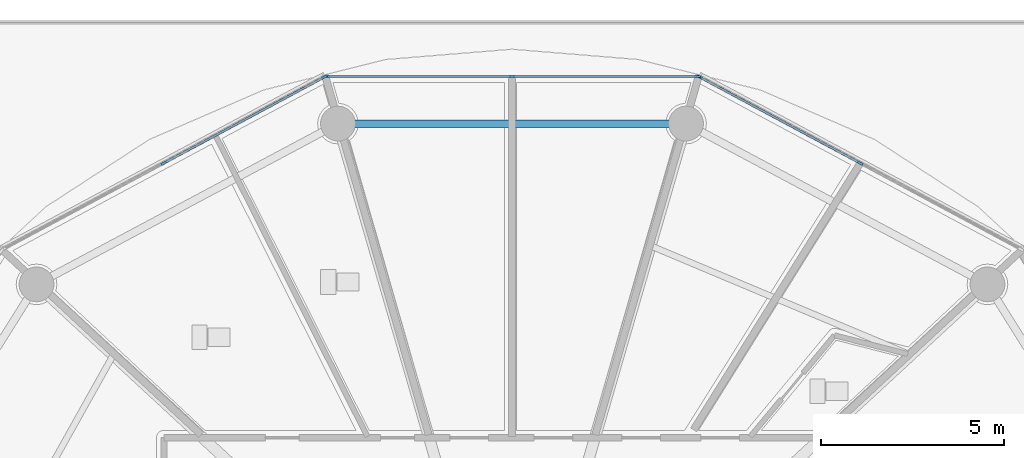
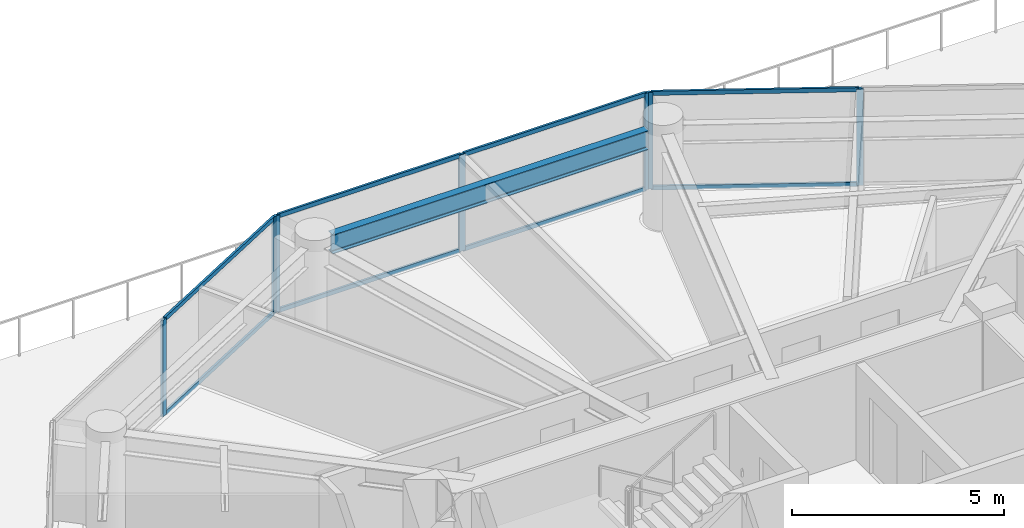
# One storey, part 9 of 32: 15 members, 1 beam, 3 elements without a shape of their own.
"""IFC4 building model written with IfcOpenShell, lengths in metres."""

from ifc_helpers import new_model, si_unit, direction, frame, origin, origin_2d, place, context, subcontext, project, spatial, rectangle, i_section, extrude, source, transform, mapped, material, layer, layer_set, material_profile, profile_set, type_object, type_shapes, element, aggregate, save


model = new_model("IFC4")

# Units and contexts
model_context = context("Model", 3, precision=1e-05, world=origin(), true_north=direction((0.0, 1.0)))
body_context = subcontext(model_context, "Body", "Model", "MODEL_VIEW")
ifc_project = project(units=[si_unit("LENGTHUNIT", "METRE"), si_unit("AREAUNIT", "SQUARE_METRE"), si_unit("VOLUMEUNIT", "CUBIC_METRE"), si_unit("PLANEANGLEUNIT", "RADIAN"), si_unit("MASSUNIT", "GRAM", prefix="KILO")], contexts=[model_context])

# Site, building, storey
site_placement = place(None, origin())
site = spatial("IfcSite", under=ifc_project, at=site_placement, CompositionType="ELEMENT")
building_placement = place(site_placement, origin())
building = spatial("IfcBuilding", under=site, at=building_placement, Name="Norrkilde Senior Care Towers", CompositionType="ELEMENT")
storey_placement = place(building_placement, frame((0.0, 0.0, 21.60009765625)))
storey = spatial("IfcBuildingStorey", under=building, at=storey_placement, Name="L05", CompositionType="ELEMENT", Elevation=21.60009765625)

# Beam
ifc_material_1 = material(Name="Steel S355", Category="steel")
ifc_material_profile_1 = material_profile(ifc_material_1, i_section(OverallWidth=0.2099609375, OverallDepth=0.550048828125, WebThickness=0.010986328125, FlangeThickness=0.01708984375, FilletRadius=0.02392578125, at=origin_2d()), Name="IPE 550")
ifc_profile_set_1 = profile_set([ifc_material_profile_1], Name="Steel S355")
beam_type = type_object("IfcBeamType", Name="Perimeter Ring Spandrel Z1 IPE550", PredefinedType="SPANDREL", material=ifc_profile_set_1)
shared_shape_1 = source(origin(), body_context, "Body", "SweptSolid", [
    extrude(i_section(OverallWidth=0.2099609375, OverallDepth=0.550048828125, WebThickness=0.010986328125, FlangeThickness=0.01708984375, FilletRadius=0.02392578125, at=origin_2d()), origin(), (0.0, 0.0, 1.0), 8.62841796875),
])
type_shapes(beam_type, [shared_shape_1])
beam_placement = place(storey_placement, frame((-23.685791015625, 16.37255859375, 2.514892578125), z_axis=(-1.0, 0.0, 0.0), x_axis=(0.0, -1.0, 0.0)))
element("IfcBeam", 1, at=beam_placement, inside=storey, type_object=beam_type, Name="L05 Drum W Perimeter Spandrel 03", PredefinedType="SPANDREL", context=body_context, shape_type="MappedRepresentation", body=[
    mapped(shared_shape_1, transform((0.0, 0.0, 0.0), x_axis=(1.0, 0.0, 0.0), y_axis=(0.0, 1.0, 0.0), z_axis=(0.0, 0.0, 1.0), scale=1.0)),
])

# Curtain wall, members
ifc_material_2 = material(Name="Triple Low-E Insulated Glazing", Category="glass")
ifc_layer = layer(ifc_material_2, 0.199951171875)
ifc_layer_set = layer_set([ifc_layer], Name="Triple Low-E Insulated Glazing")
curtain_wall_type = type_object("IfcCurtainWallType", Name="CW2 Zone 1 Memory Care Curtain Wall", PredefinedType="NOTDEFINED", material=ifc_layer_set)
curtain_wall_1_placement = place(storey_placement, origin())
curtain_wall_1 = element("IfcCurtainWall", 2, at=curtain_wall_1_placement, inside=storey, type_object=curtain_wall_type, Name="L05 Drum W Curtain Wall 01", PredefinedType="NOTDEFINED")
ifc_material_3 = material(Name="Anodised Aluminium", Category="aluminium")
ifc_material_profile_2 = material_profile(ifc_material_3, rectangle(XDim=0.06494140625, YDim=0.159912109375, at=origin_2d()), Name="ALU MULL 65x160")
ifc_profile_set_2 = profile_set([ifc_material_profile_2], Name="Anodised Aluminium")
member_type_1 = type_object("IfcMemberType", Name="Curtain Wall Mullion Z1-Z2 65x160", PredefinedType="MULLION", material=ifc_profile_set_2)
shared_shape_2 = source(origin(), body_context, "Body", "SweptSolid", [
    extrude(rectangle(XDim=0.06494140625, YDim=0.159912109375, at=origin_2d()), origin(), (0.0, 0.0, 1.0), 2.789794921875),
])
type_shapes(member_type_1, [shared_shape_2])
member_1_placement = place(storey_placement, frame((-22.877685546875, 17.641845703125, 0.0), z_axis=(0.0, 0.0, 1.0), x_axis=(0.472607802456, 0.881272866403, 0.0)))
member_1 = element("IfcMember", 3, at=member_1_placement, type_object=member_type_1, Name="CW-2 mullion 1", PredefinedType="MULLION", context=body_context, shape_type="MappedRepresentation", body=[
    mapped(shared_shape_2, transform((0.0, 0.0, 0.0), x_axis=(1.0, 0.0, 0.0), y_axis=(0.0, 1.0, 0.0), z_axis=(0.0, 0.0, 1.0), scale=1.0)),
])
member_2_placement = place(storey_placement, frame((-18.495361328125, 15.29150390625, 0.0), z_axis=(0.0, 0.0, 1.0), x_axis=(0.472607802456, 0.881272866403, 0.0)))
member_2 = element("IfcMember", 4, at=member_2_placement, type_object=member_type_1, Name="CW-2 mullion 2", PredefinedType="MULLION", context=body_context, shape_type="MappedRepresentation", body=[
    mapped(shared_shape_2, transform((0.0, 0.0, 0.0), x_axis=(1.0, 0.0, 0.0), y_axis=(0.0, 1.0, 0.0), z_axis=(0.0, 0.0, 1.0), scale=1.0)),
])

curtain_wall_2_placement = place(storey_placement, origin())
curtain_wall_2 = element("IfcCurtainWall", 5, at=curtain_wall_2_placement, inside=storey, type_object=curtain_wall_type, Name="L05 Drum W Curtain Wall 02", PredefinedType="NOTDEFINED")
member_3_placement = place(storey_placement, frame((-33.06103515625, 17.6572265625, 0.0), z_axis=(0.0, 0.0, 1.0), x_axis=(0.0, 1.0, 0.0)))
member_3 = element("IfcMember", 6, at=member_3_placement, type_object=member_type_1, Name="CW-2 mullion 1", PredefinedType="MULLION", context=body_context, shape_type="MappedRepresentation", body=[
    mapped(shared_shape_2, transform((0.0, 0.0, 0.0), x_axis=(1.0, 0.0, 0.0), y_axis=(0.0, 1.0, 0.0), z_axis=(0.0, 0.0, 1.0), scale=1.0)),
])
member_4_placement = place(storey_placement, frame((-28.0, 17.6572265625, 0.0), z_axis=(0.0, 0.0, 1.0), x_axis=(0.0, 1.0, 0.0)))
member_4 = element("IfcMember", 7, at=member_4_placement, type_object=member_type_1, Name="CW-2 mullion 2", PredefinedType="MULLION", context=body_context, shape_type="MappedRepresentation", body=[
    mapped(shared_shape_2, transform((0.0, 0.0, 0.0), x_axis=(1.0, 0.0, 0.0), y_axis=(0.0, 1.0, 0.0), z_axis=(0.0, 0.0, 1.0), scale=1.0)),
])
member_5_placement = place(storey_placement, frame((-22.93896484375, 17.6572265625, 0.0), z_axis=(0.0, 0.0, 1.0), x_axis=(0.0, 1.0, 0.0)))
member_5 = element("IfcMember", 8, at=member_5_placement, type_object=member_type_1, Name="CW-2 mullion 3", PredefinedType="MULLION", context=body_context, shape_type="MappedRepresentation", body=[
    mapped(shared_shape_2, transform((0.0, 0.0, 0.0), x_axis=(1.0, 0.0, 0.0), y_axis=(0.0, 1.0, 0.0), z_axis=(0.0, 0.0, 1.0), scale=1.0)),
])

curtain_wall_3_placement = place(storey_placement, origin())
curtain_wall_3 = element("IfcCurtainWall", 9, at=curtain_wall_3_placement, inside=storey, type_object=curtain_wall_type, Name="L05 Drum W Curtain Wall 03", PredefinedType="NOTDEFINED")
member_6_placement = place(storey_placement, frame((-37.504638671875, 15.29150390625, 0.0), z_axis=(0.0, 0.0, 1.0), x_axis=(-0.472607802456, 0.881272866403, 0.0)))
member_6 = element("IfcMember", 10, at=member_6_placement, type_object=member_type_1, Name="CW-2 mullion 2", PredefinedType="MULLION", context=body_context, shape_type="MappedRepresentation", body=[
    mapped(shared_shape_2, transform((0.0, 0.0, 0.0), x_axis=(1.0, 0.0, 0.0), y_axis=(0.0, 1.0, 0.0), z_axis=(0.0, 0.0, 1.0), scale=1.0)),
])
member_7_placement = place(storey_placement, frame((-33.122314453125, 17.641845703125, 0.0), z_axis=(0.0, 0.0, 1.0), x_axis=(-0.472607802456, 0.881272866403, 0.0)))
member_7 = element("IfcMember", 11, at=member_7_placement, type_object=member_type_1, Name="CW-2 mullion 3", PredefinedType="MULLION", context=body_context, shape_type="MappedRepresentation", body=[
    mapped(shared_shape_2, transform((0.0, 0.0, 0.0), x_axis=(1.0, 0.0, 0.0), y_axis=(0.0, 1.0, 0.0), z_axis=(0.0, 0.0, 1.0), scale=1.0)),
])

# Member
ifc_material_profile_3 = material_profile(ifc_material_3, rectangle(XDim=0.06005859375, YDim=0.1201171875, at=origin_2d()), Name="ALU TRAN 60x120")
ifc_profile_set_3 = profile_set([ifc_material_profile_3], Name="Anodised Aluminium")
member_type_2 = type_object("IfcMemberType", Name="Curtain Wall Transom Typical 60x120", PredefinedType="USERDEFINED", material=ifc_profile_set_3)
shared_shape_3 = source(origin(), body_context, "Body", "SweptSolid", [
    extrude(rectangle(XDim=0.06005859375, YDim=0.1201171875, at=origin_2d()), origin(), (0.0, 0.0, 1.0), 4.907958984375),
])
member_8_placement = place(storey_placement, frame((-22.84912109375, 17.62646484375, 0.02978515625), z_axis=(0.881266902561, -0.472618923077, 0.0), x_axis=(0.472618923077, 0.881266902561, 0.0)))
member_8 = element("IfcMember", 12, at=member_8_placement, type_object=member_type_2, Name="CW-2 transom 1.1", ObjectType="TRANSOM", PredefinedType="USERDEFINED", context=body_context, shape_type="MappedRepresentation", body=[
    mapped(shared_shape_3, transform((0.0, 0.0, 0.0), x_axis=(1.0, 0.0, 0.0), y_axis=(0.0, 1.0, 0.0), z_axis=(0.0, 0.0, 1.0), scale=1.0)),
])

member_9_placement = place(storey_placement, frame((-22.84912109375, 17.62646484375, 2.760009765625), z_axis=(0.881266902561, -0.472618923077, 0.0), x_axis=(0.472618923077, 0.881266902561, 0.0)))
member_9 = element("IfcMember", 13, at=member_9_placement, type_object=member_type_2, Name="CW-2 transom 1.2", ObjectType="TRANSOM", PredefinedType="USERDEFINED", context=body_context, shape_type="MappedRepresentation", body=[
    mapped(shared_shape_3, transform((0.0, 0.0, 0.0), x_axis=(1.0, 0.0, 0.0), y_axis=(0.0, 1.0, 0.0), z_axis=(0.0, 0.0, 1.0), scale=1.0)),
])

aggregate(curtain_wall_1, [member_1, member_2, member_8, member_9])

member_10_placement = place(storey_placement, frame((-37.47607421875, 15.306884765625, 0.02978515625), z_axis=(0.881266902561, 0.472618923077, 0.0), x_axis=(-0.472618923077, 0.881266902561, 0.0)))
member_10 = element("IfcMember", 14, at=member_10_placement, type_object=member_type_2, Name="CW-2 transom 2.1", ObjectType="TRANSOM", PredefinedType="USERDEFINED", context=body_context, shape_type="MappedRepresentation", body=[
    mapped(shared_shape_3, transform((0.0, 0.0, 0.0), x_axis=(1.0, 0.0, 0.0), y_axis=(0.0, 1.0, 0.0), z_axis=(0.0, 0.0, 1.0), scale=1.0)),
])

member_11_placement = place(storey_placement, frame((-37.47607421875, 15.306884765625, 2.760009765625), z_axis=(0.881266902561, 0.472618923077, 0.0), x_axis=(-0.472618923077, 0.881266902561, 0.0)))
member_11 = element("IfcMember", 15, at=member_11_placement, type_object=member_type_2, Name="CW-2 transom 2.2", ObjectType="TRANSOM", PredefinedType="USERDEFINED", context=body_context, shape_type="MappedRepresentation", body=[
    mapped(shared_shape_3, transform((0.0, 0.0, 0.0), x_axis=(1.0, 0.0, 0.0), y_axis=(0.0, 1.0, 0.0), z_axis=(0.0, 0.0, 1.0), scale=1.0)),
])

aggregate(curtain_wall_3, [member_6, member_7, member_10, member_11])

shared_shape_4 = source(origin(), body_context, "Body", "SweptSolid", [
    extrude(rectangle(XDim=0.06005859375, YDim=0.1201171875, at=origin_2d()), origin(), (0.0, 0.0, 1.0), 4.99609375),
])
type_shapes(member_type_2, [shared_shape_3, shared_shape_4])
member_12_placement = place(storey_placement, frame((-33.028564453125, 17.6572265625, 0.02978515625), z_axis=(1.0, 0.0, 0.0), x_axis=(0.0, 1.0, 0.0)))
member_12 = element("IfcMember", 16, at=member_12_placement, type_object=member_type_2, Name="CW-2 transom 1.1", ObjectType="TRANSOM", PredefinedType="USERDEFINED", context=body_context, shape_type="MappedRepresentation", body=[
    mapped(shared_shape_4, transform((0.0, 0.0, 0.0), x_axis=(1.0, 0.0, 0.0), y_axis=(0.0, 1.0, 0.0), z_axis=(0.0, 0.0, 1.0), scale=1.0)),
])

member_13_placement = place(storey_placement, frame((-33.028564453125, 17.6572265625, 2.760009765625), z_axis=(1.0, 0.0, 0.0), x_axis=(0.0, 1.0, 0.0)))
member_13 = element("IfcMember", 17, at=member_13_placement, type_object=member_type_2, Name="CW-2 transom 1.2", ObjectType="TRANSOM", PredefinedType="USERDEFINED", context=body_context, shape_type="MappedRepresentation", body=[
    mapped(shared_shape_4, transform((0.0, 0.0, 0.0), x_axis=(1.0, 0.0, 0.0), y_axis=(0.0, 1.0, 0.0), z_axis=(0.0, 0.0, 1.0), scale=1.0)),
])

member_14_placement = place(storey_placement, frame((-27.967529296875, 17.6572265625, 0.02978515625), z_axis=(1.0, 0.0, 0.0), x_axis=(0.0, 1.0, 0.0)))
member_14 = element("IfcMember", 18, at=member_14_placement, type_object=member_type_2, Name="CW-2 transom 2.1", ObjectType="TRANSOM", PredefinedType="USERDEFINED", context=body_context, shape_type="MappedRepresentation", body=[
    mapped(shared_shape_4, transform((0.0, 0.0, 0.0), x_axis=(1.0, 0.0, 0.0), y_axis=(0.0, 1.0, 0.0), z_axis=(0.0, 0.0, 1.0), scale=1.0)),
])

member_15_placement = place(storey_placement, frame((-27.967529296875, 17.6572265625, 2.760009765625), z_axis=(1.0, 0.0, 0.0), x_axis=(0.0, 1.0, 0.0)))
member_15 = element("IfcMember", 19, at=member_15_placement, type_object=member_type_2, Name="CW-2 transom 2.2", ObjectType="TRANSOM", PredefinedType="USERDEFINED", context=body_context, shape_type="MappedRepresentation", body=[
    mapped(shared_shape_4, transform((0.0, 0.0, 0.0), x_axis=(1.0, 0.0, 0.0), y_axis=(0.0, 1.0, 0.0), z_axis=(0.0, 0.0, 1.0), scale=1.0)),
])

aggregate(curtain_wall_2, [member_3, member_4, member_5, member_12, member_13, member_14, member_15])

save(model, "model.ifc")
